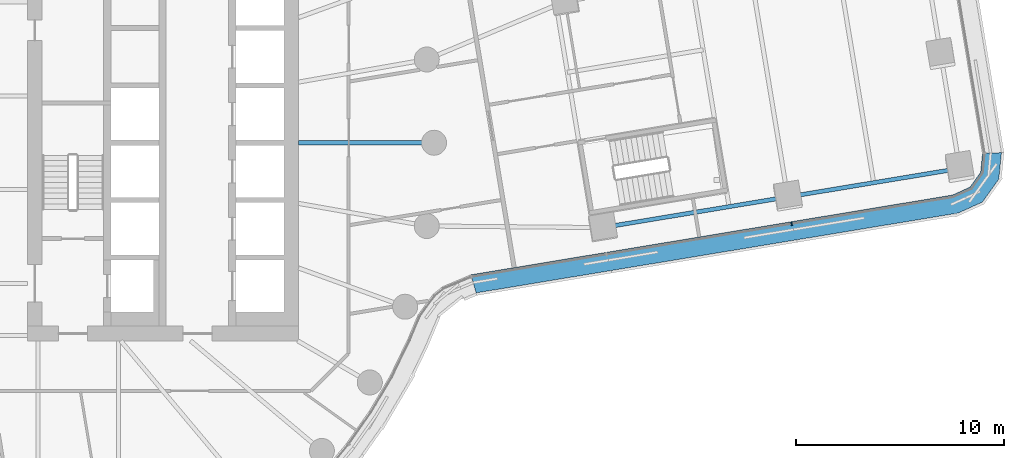
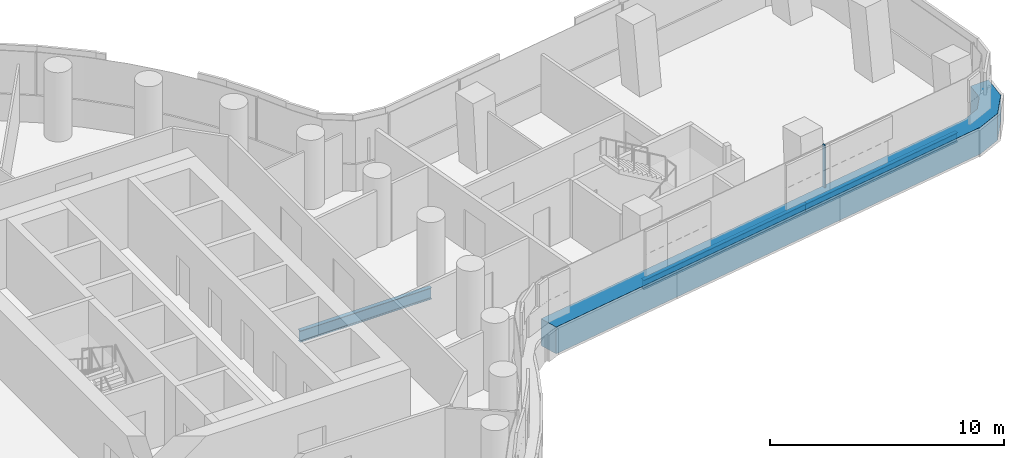
# One storey, part 12 of 32: 3 beams, 2 members, 1 element without a shape of its own.
"""IFC4 building model written with IfcOpenShell, lengths in metres."""

from ifc_helpers import new_model, si_unit, direction, frame, origin, origin_2d, place, context, subcontext, project, spatial, polyline, rectangle, i_section, outline, extrude, material, layer, layer_set, material_profile, profile_set, type_object, element, aggregate, save


model = new_model("IFC4")

# Units and contexts
model_context = context("Model", 3, precision=1e-05, world=origin(), true_north=direction((0.0, 1.0)))
body_context = subcontext(model_context, "Body", "Model", "MODEL_VIEW")
ifc_project = project(units=[si_unit("LENGTHUNIT", "METRE"), si_unit("AREAUNIT", "SQUARE_METRE"), si_unit("VOLUMEUNIT", "CUBIC_METRE"), si_unit("PLANEANGLEUNIT", "RADIAN"), si_unit("MASSUNIT", "GRAM", prefix="KILO")], contexts=[model_context])

# Site, building, storey
site_placement = place(None, origin())
site = spatial("IfcSite", under=ifc_project, at=site_placement, CompositionType="ELEMENT")
building_placement = place(site_placement, origin())
building = spatial("IfcBuilding", under=site, at=building_placement, Name="Tamarind Cross Interchange Tower", CompositionType="ELEMENT")
storey_placement = place(building_placement, frame((0.0, 0.0, 67.75)))
storey = spatial("IfcBuildingStorey", under=building, at=storey_placement, Name="L15", CompositionType="ELEMENT", Elevation=67.75)

# Beams
ifc_material_1 = material(Name="Steel Q355B", Category="steel")
ifc_material_profile_1 = material_profile(ifc_material_1, i_section(OverallWidth=0.198974609375, OverallDepth=0.49609375, WebThickness=0.009033203125, FlangeThickness=0.013916015625, FilletRadius=0.012939453125, at=origin_2d()), Name="HN 496x199x9x14")
ifc_profile_set_1 = profile_set([ifc_material_profile_1], Name="Steel Q355B")
beam_type_1 = type_object("IfcBeamType", Name="Composite beam HN 496x199x9x14 Q355B", PredefinedType="BEAM", material=ifc_profile_set_1)
beam_1_placement = place(storey_placement, frame((48.214111328125, -1.233642578125, -0.387939453125), z_axis=(-0.986562301654, -0.163385510234, 0.0), x_axis=(0.163385510234, -0.986562301654, 0.0)))
element("IfcBeam", 1, at=beam_1_placement, inside=storey, type_object=beam_type_1, Name="Beam E-edgeem5", PredefinedType="BEAM", context=body_context, shape_type="SweptSolid", body=[
    extrude(i_section(OverallWidth=0.198974609375, OverallDepth=0.49609375, WebThickness=0.009033203125, FlangeThickness=0.013916015625, FilletRadius=0.012939453125, at=origin_2d()), origin(), (0.0, 0.0, 1.0), 8.3603515625),
])
beam_2_placement = place(storey_placement, frame((39.966064453125, -2.599609375, -0.387939453125), z_axis=(-0.986562033476, -0.163387129554, 0.0), x_axis=(0.163387129554, -0.986562033476, 0.0)))
element("IfcBeam", 2, at=beam_2_placement, inside=storey, type_object=beam_type_1, Name="Beam E-edgeem6", PredefinedType="BEAM", context=body_context, shape_type="SweptSolid", body=[
    extrude(i_section(OverallWidth=0.198974609375, OverallDepth=0.49609375, WebThickness=0.009033203125, FlangeThickness=0.013916015625, FilletRadius=0.012939453125, at=origin_2d()), origin(), (0.0, 0.0, 1.0), 8.999755859375),
])
ifc_material_profile_2 = material_profile(ifc_material_1, i_section(OverallWidth=0.198974609375, OverallDepth=0.595947265625, WebThickness=0.010009765625, FlangeThickness=0.014892578125, FilletRadius=0.012939453125, at=origin_2d()), Name="HN 596x199x10x15")
ifc_profile_set_2 = profile_set([ifc_material_profile_2], Name="Steel Q355B")
beam_type_2 = type_object("IfcBeamType", Name="Composite beam HN 596x199x10x15 Q355B", PredefinedType="BEAM", material=ifc_profile_set_2)
beam_3_placement = place(storey_placement, frame((23.0, 0.0, -0.43798828125), z_axis=(-1.0, 0.0, 0.0), x_axis=(0.0, -1.0, 0.0)))
element("IfcBeam", 3, at=beam_3_placement, inside=storey, type_object=beam_type_2, Name="Beam HH00", PredefinedType="BEAM", context=body_context, shape_type="SweptSolid", body=[
    extrude(i_section(OverallWidth=0.198974609375, OverallDepth=0.595947265625, WebThickness=0.010009765625, FlangeThickness=0.014892578125, FilletRadius=0.012939453125, at=origin_2d()), origin(), (0.0, 0.0, 1.0), 6.5),
])

# Curtain wall, members
ifc_material_2 = material(Name="Aluminium 6063-T6", Category="aluminium")
ifc_layer = layer(ifc_material_2, 0.159912109375)
ifc_layer_set = layer_set([ifc_layer], Name="Aluminium 6063-T6")
curtain_wall_type = type_object("IfcCurtainWallType", Name="Office curtain wall, 9.0 m bays", PredefinedType="NOTDEFINED", material=ifc_layer_set)
curtain_wall_placement = place(storey_placement, origin())
curtain_wall = element("IfcCurtainWall", 4, at=curtain_wall_placement, inside=storey, type_object=curtain_wall_type, Name="CWS-L15-11", PredefinedType="NOTDEFINED")
ifc_material_3 = material(Name="Aluminium and insulated spandrel panel", Category="aluminium")
member_type_1 = type_object("IfcMemberType", Name="Floor-edge blade transom", PredefinedType="USERDEFINED", material=ifc_material_3)
member_1_placement = place(storey_placement, origin())
member_1 = element("IfcMember", 5, at=member_1_placement, type_object=member_type_1, Name="CWT-L15-11", ObjectType="TRANSOM", PredefinedType="USERDEFINED", context=body_context, shape_type="SweptSolid", body=[
    extrude(outline(polyline([(24.766845703125, -6.3330078125), (47.8779296875, -2.505615234375), (48.71142578125, -2.12744140625), (49.220458984375, -1.41650390625), (49.309814453125, -0.50537109375), (50.217041015625, -0.475341796875), (50.0927734375, -1.744140625), (49.302978515625, -2.847412109375), (48.141845703125, -3.374267578125), (25.0185546875, -7.20361328125), (24.766845703125, -6.3330078125)])), origin(), (0.0, 0.0, 1.0), 1.39990234375),
])
ifc_material_profile_3 = material_profile(ifc_material_2, rectangle(XDim=0.06005859375, YDim=0.159912109375, at=origin_2d()), Name="Mullion CW1")
ifc_profile_set_3 = profile_set([ifc_material_profile_3], Name="Aluminium 6063-T6")
member_type_2 = type_object("IfcMemberType", Name="Mullion CW1", PredefinedType="MULLION", material=ifc_profile_set_3)
member_2_placement = place(storey_placement, frame((40.1533203125, -3.88623046875, 1.39990234375), z_axis=(0.0, 0.0, 1.0), x_axis=(0.986563038226, 0.163381062571, 0.0)))
member_2 = element("IfcMember", 6, at=member_2_placement, type_object=member_type_2, Name="CWM-L15-11-02", PredefinedType="MULLION", context=body_context, shape_type="SweptSolid", body=[
    extrude(rectangle(XDim=0.06005859375, YDim=0.159912109375, at=origin_2d()), origin(), (0.0, 0.0, 1.0), 2.210205078125),
])
aggregate(curtain_wall, [member_2, member_1])

save(model, "model.ifc")
